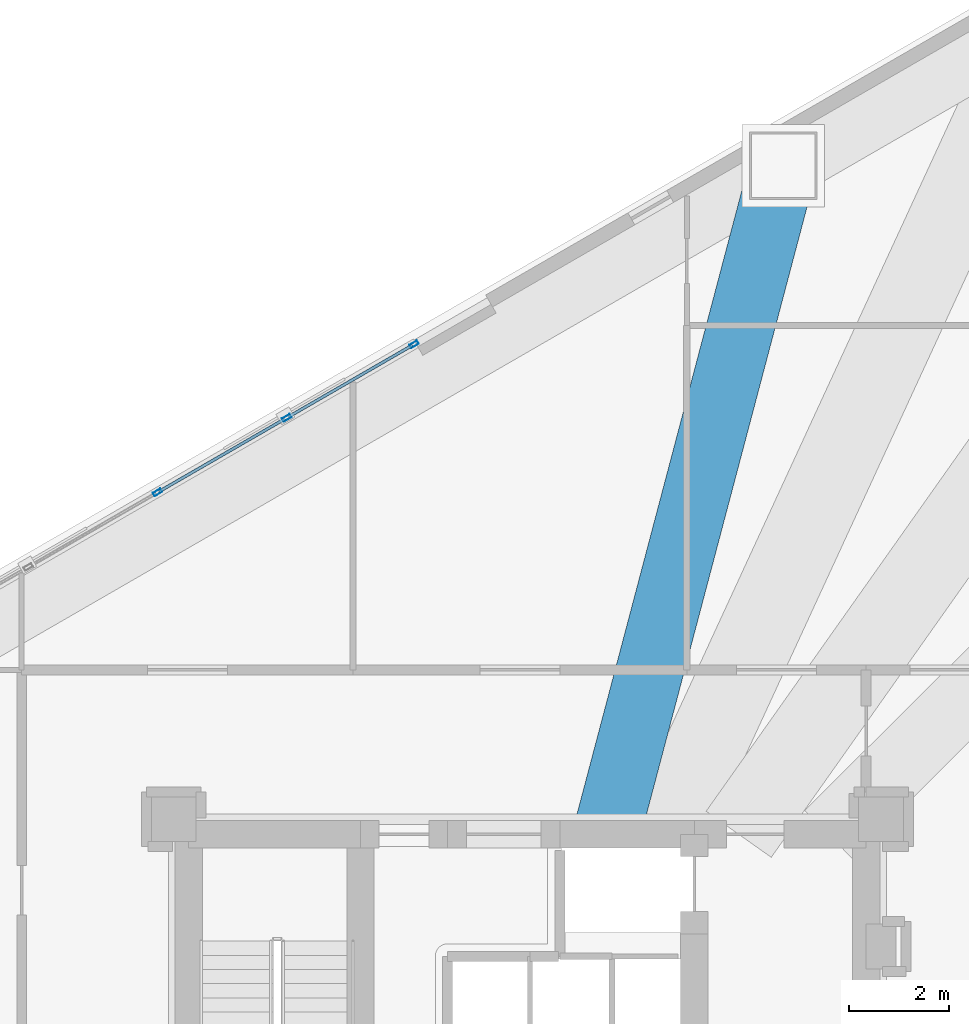
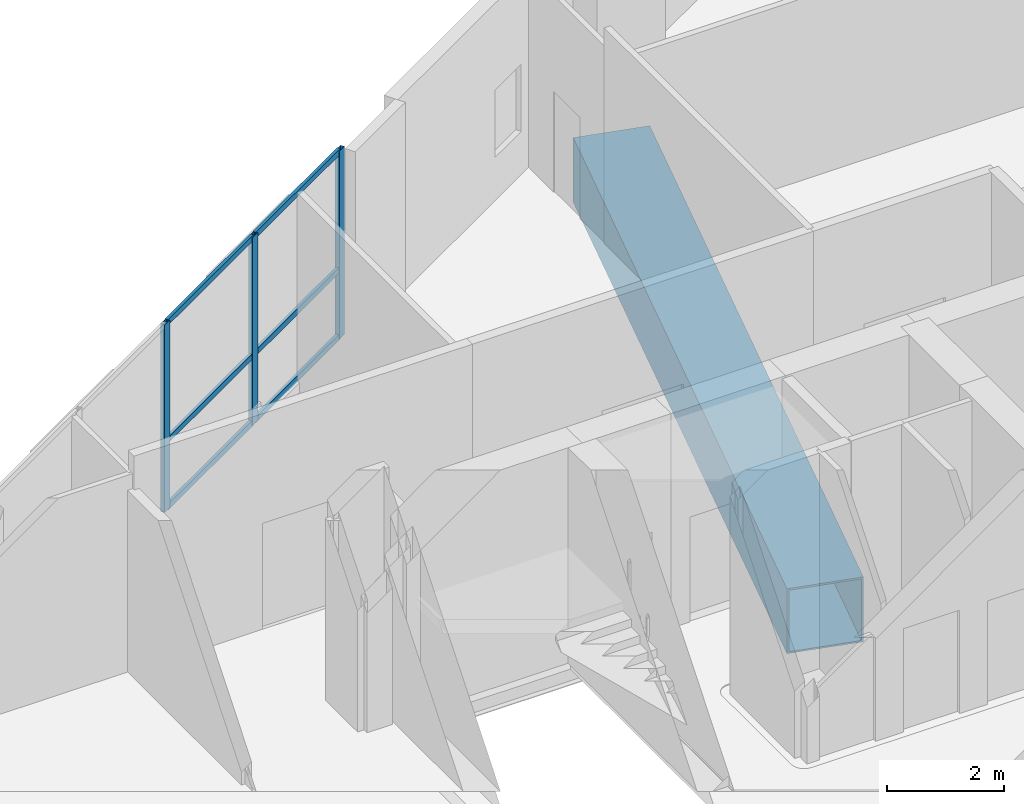
# One storey, part 13 of 29: 9 members, 1 beam, 1 element without a shape of its own.
"""IFC4 building model written with IfcOpenShell, lengths in metres."""

from ifc_helpers import new_model, si_unit, direction, frame, origin, origin_2d, place, context, subcontext, project, spatial, hollow_rectangle, extrude, material, layer, layer_set, material_profile, profile_set, type_object, element, aggregate, save


model = new_model("IFC4")

# Units and contexts
model_context = context("Model", 3, precision=1e-05, world=origin(), true_north=direction((0.0, 1.0)))
body_context = subcontext(model_context, "Body", "Model", "MODEL_VIEW")
ifc_project = project(units=[si_unit("LENGTHUNIT", "METRE"), si_unit("AREAUNIT", "SQUARE_METRE"), si_unit("VOLUMEUNIT", "CUBIC_METRE"), si_unit("PLANEANGLEUNIT", "RADIAN"), si_unit("MASSUNIT", "GRAM", prefix="KILO")], contexts=[model_context])

# Site, building, storey
site_placement = place(None, origin())
site = spatial("IfcSite", under=ifc_project, at=site_placement, CompositionType="ELEMENT")
building_placement = place(site_placement, origin())
building = spatial("IfcBuilding", under=site, at=building_placement, Name="Mersakhor Tower and Convention Hall", CompositionType="ELEMENT")
storey_placement = place(building_placement, frame((0.0, 0.0, 9.60009765625)))
storey = spatial("IfcBuildingStorey", under=building, at=storey_placement, Name="L02", CompositionType="ELEMENT", Elevation=9.60009765625)

# Beam
ifc_material_1 = material(Name="Steel S460", Category="steel")
ifc_material_profile_1 = material_profile(ifc_material_1, hollow_rectangle(XDim=1.35009765625, YDim=1.35009765625, WallThickness=0.035888671875, at=origin_2d()), Name="SHS 1350x1350x36")
ifc_profile_set_1 = profile_set([ifc_material_profile_1], Name="Steel S460")
beam_type = type_object("IfcBeamType", Name="BM-TR-BOX1350", PredefinedType="BEAM", material=ifc_profile_set_1)
beam_placement = place(storey_placement, frame((30.586181640625, 32.75, -0.9951171875), z_axis=(0.255571992926, 0.966790027065, 0.0), x_axis=(-0.966790027065, 0.255571992926, 0.0)))
element("IfcBeam", 1, at=beam_placement, inside=storey, type_object=beam_type, Name="L02 Core-to-Perimeter Transfer Girder CTR-F1-N2", PredefinedType="BEAM", context=body_context, shape_type="SweptSolid", body=[
    extrude(hollow_rectangle(XDim=1.35009765625, YDim=1.35009765625, WallThickness=0.035888671875, at=origin_2d()), origin(), (0.0, 0.0, 1.0), 13.879150390625),
])

# Curtain wall, members
ifc_material_2 = material(Name="Dark solar low-E aluminium curtain wall", Category="aluminium")
ifc_layer = layer(ifc_material_2, 0.18994140625)
ifc_layer_set = layer_set([ifc_layer], Name="Dark solar low-E aluminium curtain wall")
curtain_wall_type = type_object("IfcCurtainWallType", Name="CW-SYS-04", PredefinedType="USERDEFINED", material=ifc_layer_set)
curtain_wall_placement = place(storey_placement, origin())
curtain_wall = element("IfcCurtainWall", 2, at=curtain_wall_placement, inside=storey, type_object=curtain_wall_type, Name="L02 Dark-Glass Curtain Wall F1-B2", ObjectType="CURTAIN WALL", PredefinedType="USERDEFINED")
ifc_material_3 = material(Name="Anodised aluminium EN AW-6063 T6", Category="aluminium")
ifc_material_profile_2 = material_profile(ifc_material_3, hollow_rectangle(XDim=0.080078125, YDim=0.179931640625, WallThickness=0.008056640625, at=origin_2d()), Name="RHS 180x80x8")
ifc_profile_set_2 = profile_set([ifc_material_profile_2], Name="Anodised aluminium EN AW-6063 T6")
member_type_1 = type_object("IfcMemberType", Name="CWM-180x80", PredefinedType="MULLION", material=ifc_profile_set_2)
member_1_placement = place(storey_placement, frame((21.574951171875, 39.610595703125, 0.199951171875), z_axis=(0.0, 0.0, 1.0), x_axis=(-0.50000344889, 0.866023412558, 0.0)))
member_1 = element("IfcMember", 3, at=member_1_placement, type_object=member_type_1, Name="CW-04 mullion 3", PredefinedType="MULLION", context=body_context, shape_type="SweptSolid", body=[
    extrude(hollow_rectangle(XDim=0.080078125, YDim=0.179931640625, WallThickness=0.008056640625, at=origin_2d()), origin(), (0.0, 0.0, 1.0), 3.89990234375),
])
member_2_placement = place(storey_placement, frame((24.167236328125, 41.107177734375, 0.199951171875), z_axis=(0.0, 0.0, 1.0), x_axis=(-0.50000344889, 0.866023412558, 0.0)))
member_2 = element("IfcMember", 4, at=member_2_placement, type_object=member_type_1, Name="CW-04 mullion 4", PredefinedType="MULLION", context=body_context, shape_type="SweptSolid", body=[
    extrude(hollow_rectangle(XDim=0.080078125, YDim=0.179931640625, WallThickness=0.008056640625, at=origin_2d()), origin(), (0.0, 0.0, 1.0), 3.89990234375),
])
member_3_placement = place(storey_placement, frame((26.724853515625, 42.583740234375, 0.199951171875), z_axis=(0.0, 0.0, 1.0), x_axis=(-0.50000344889, 0.866023412558, 0.0)))
member_3 = element("IfcMember", 5, at=member_3_placement, type_object=member_type_1, Name="CW-04 mullion 5", PredefinedType="MULLION", context=body_context, shape_type="SweptSolid", body=[
    extrude(hollow_rectangle(XDim=0.080078125, YDim=0.179931640625, WallThickness=0.008056640625, at=origin_2d()), origin(), (0.0, 0.0, 1.0), 3.89990234375),
])
ifc_material_4 = material(Name="Anodised aluminium EN AW-6063 T6", Category="aluminium")
ifc_material_profile_3 = material_profile(ifc_material_4, hollow_rectangle(XDim=0.06005859375, YDim=0.1201171875, WallThickness=0.0048828125, at=origin_2d()), Name="RHS 120x60x5")
ifc_profile_set_3 = profile_set([ifc_material_profile_3], Name="Anodised aluminium EN AW-6063 T6")
member_type_2 = type_object("IfcMemberType", Name="CWT-120x60", PredefinedType="USERDEFINED", material=ifc_profile_set_3)
member_4_placement = place(storey_placement, frame((21.609619140625, 39.630615234375, 0.22998046875), z_axis=(0.866037657489, 0.499978775361, 0.0), x_axis=(-0.499978775361, 0.866037657489, 0.0)))
member_4 = element("IfcMember", 6, at=member_4_placement, type_object=member_type_2, Name="CW-04 transom 3.1", ObjectType="TRANSOM", PredefinedType="USERDEFINED", context=body_context, shape_type="SweptSolid", body=[
    extrude(hollow_rectangle(XDim=0.06005859375, YDim=0.1201171875, WallThickness=0.0048828125, at=origin_2d()), origin(), (0.0, 0.0, 1.0), 2.913330078125),
])
member_5_placement = place(storey_placement, frame((21.609619140625, 39.630615234375, 1.619873046875), z_axis=(0.866037657489, 0.499978775361, 0.0), x_axis=(-0.499978775361, 0.866037657489, 0.0)))
member_5 = element("IfcMember", 7, at=member_5_placement, type_object=member_type_2, Name="CW-04 transom 3.2", ObjectType="TRANSOM", PredefinedType="USERDEFINED", context=body_context, shape_type="SweptSolid", body=[
    extrude(hollow_rectangle(XDim=0.06005859375, YDim=0.1201171875, WallThickness=0.0048828125, at=origin_2d()), origin(), (0.0, 0.0, 1.0), 2.913330078125),
])
member_6_placement = place(storey_placement, frame((21.609619140625, 39.630615234375, 4.06982421875), z_axis=(0.866037657489, 0.499978775361, 0.0), x_axis=(-0.499978775361, 0.866037657489, 0.0)))
member_6 = element("IfcMember", 8, at=member_6_placement, type_object=member_type_2, Name="CW-04 transom 3.3", ObjectType="TRANSOM", PredefinedType="USERDEFINED", context=body_context, shape_type="SweptSolid", body=[
    extrude(hollow_rectangle(XDim=0.06005859375, YDim=0.1201171875, WallThickness=0.0048828125, at=origin_2d()), origin(), (0.0, 0.0, 1.0), 2.913330078125),
])
member_7_placement = place(storey_placement, frame((24.201904296875, 41.127197265625, 0.22998046875), z_axis=(0.866038426532, 0.499977443261, 0.0), x_axis=(-0.499977443261, 0.866038426532, 0.0)))
member_7 = element("IfcMember", 9, at=member_7_placement, type_object=member_type_2, Name="CW-04 transom 4.1", ObjectType="TRANSOM", PredefinedType="USERDEFINED", context=body_context, shape_type="SweptSolid", body=[
    extrude(hollow_rectangle(XDim=0.06005859375, YDim=0.1201171875, WallThickness=0.0048828125, at=origin_2d()), origin(), (0.0, 0.0, 1.0), 2.873291015625),
])
member_8_placement = place(storey_placement, frame((24.201904296875, 41.127197265625, 1.619873046875), z_axis=(0.866038426532, 0.499977443261, 0.0), x_axis=(-0.499977443261, 0.866038426532, 0.0)))
member_8 = element("IfcMember", 10, at=member_8_placement, type_object=member_type_2, Name="CW-04 transom 4.2", ObjectType="TRANSOM", PredefinedType="USERDEFINED", context=body_context, shape_type="SweptSolid", body=[
    extrude(hollow_rectangle(XDim=0.06005859375, YDim=0.1201171875, WallThickness=0.0048828125, at=origin_2d()), origin(), (0.0, 0.0, 1.0), 2.873291015625),
])
member_9_placement = place(storey_placement, frame((24.201904296875, 41.127197265625, 4.06982421875), z_axis=(0.866038426532, 0.499977443261, 0.0), x_axis=(-0.499977443261, 0.866038426532, 0.0)))
member_9 = element("IfcMember", 11, at=member_9_placement, type_object=member_type_2, Name="CW-04 transom 4.3", ObjectType="TRANSOM", PredefinedType="USERDEFINED", context=body_context, shape_type="SweptSolid", body=[
    extrude(hollow_rectangle(XDim=0.06005859375, YDim=0.1201171875, WallThickness=0.0048828125, at=origin_2d()), origin(), (0.0, 0.0, 1.0), 2.873291015625),
])
aggregate(curtain_wall, [member_1, member_2, member_3, member_4, member_5, member_6, member_7, member_8, member_9])

save(model, "model.ifc")
